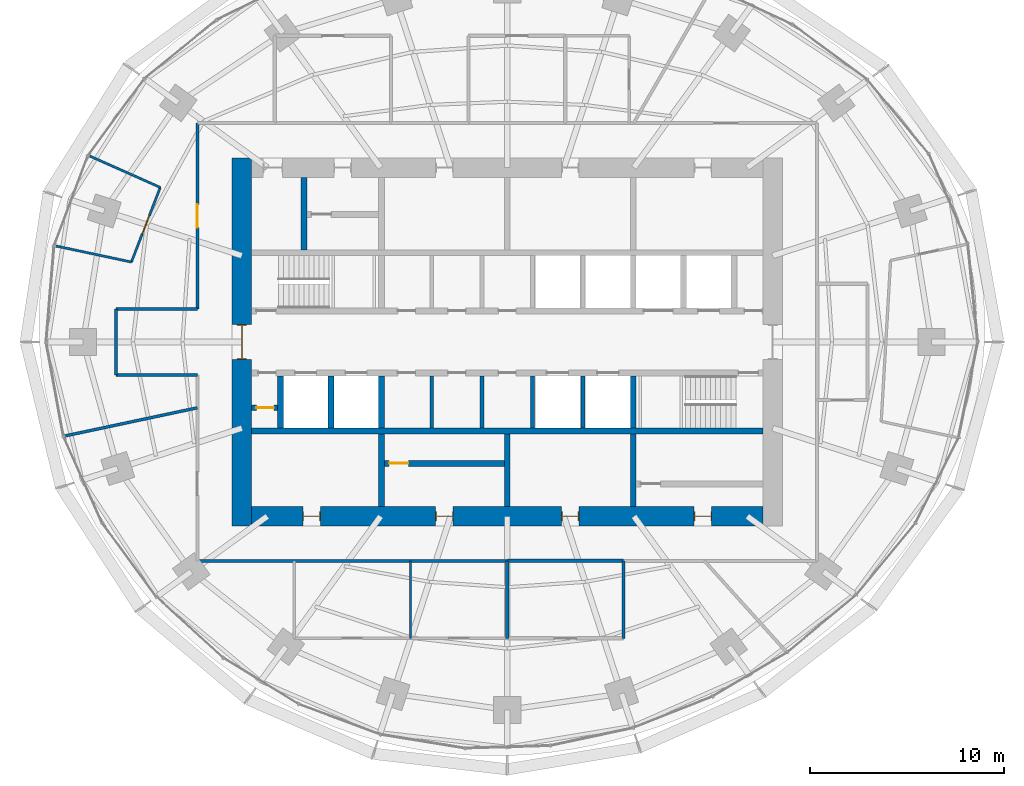
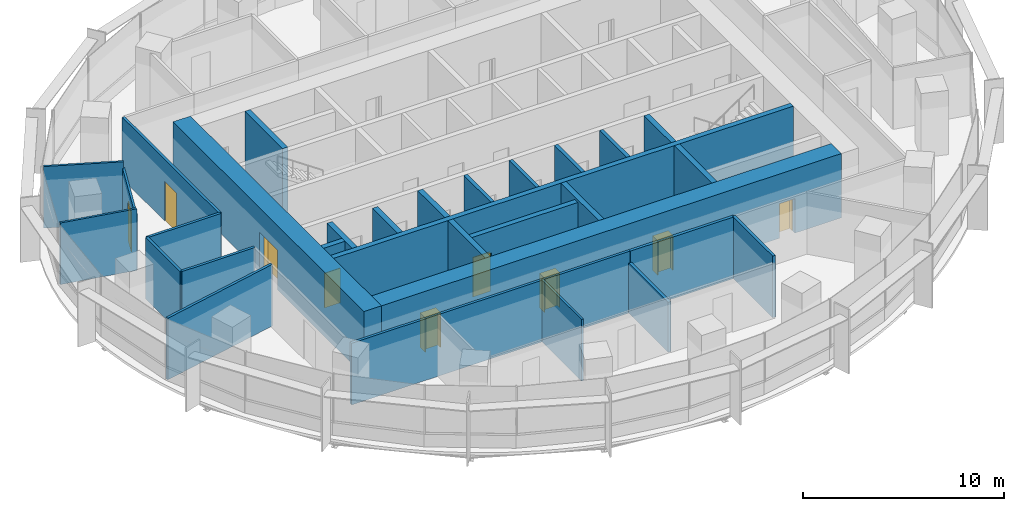
# One storey, part 10 of 14: 30 walls, 9 doors, 9 openings.
"""IFC4 building model written with IfcOpenShell, lengths in metres."""

import ifcopenshell
import ifcopenshell.guid

model = None  # the IFC model being written
_history = None  # IfcOwnerHistory: only IFC2X3 demands one
_inside = {}  # id of a spatial element -> (the spatial element, [elements in it])
_under = {}  # id of a project, library or spatial element -> (it, [spatial elements below it])
_declared = {}  # id of a project -> (the project, [libraries it declares])
_typed = {}  # id of a type object -> (the type object, [elements of that type])
_made_of = {}  # id of a material, layer set ... -> (it, [elements and type objects made of it])


def new_model(schema):
    """Start an empty IFC model of exactly this schema.

    Asked for "IFC4X3", IfcOpenShell would pick the latest addendum, in which some entities
    have other attributes; the version numbers below select the first issue.
    IFC2X3 requires an IfcOwnerHistory on every rooted entity: one is made here for all.
    """
    global model, _history
    if schema == "IFC4X3":
        model = ifcopenshell.file(schema_version=(4, 3, 0, 0))
    else:
        model = ifcopenshell.file(schema=schema)
    _inside.clear()
    _under.clear()
    _declared.clear()
    _typed.clear()
    _made_of.clear()
    _history = None
    if model.schema == "IFC2X3":
        org = make("IfcOrganization", Name="unknown")
        user = make(
            "IfcPersonAndOrganization",
            ThePerson=make("IfcPerson", FamilyName="unknown"),
            TheOrganization=org,
        )
        app = make(
            "IfcApplication",
            ApplicationDeveloper=org,
            Version="unknown",
            ApplicationFullName="unknown",
            ApplicationIdentifier="unknown",
        )
        _history = make(
            "IfcOwnerHistory",
            OwningUser=user,
            OwningApplication=app,
            ChangeAction="ADDED",
            CreationDate=0,
        )
    return model


def make(cls, **values):
    """One entity of the class cls with the attributes given. An attribute that is None is left unset."""
    return model.create_entity(
        cls, **{name: value for name, value in values.items() if value is not None}
    )


def rooted(cls, **values):
    """An entity with a GlobalId (a new one), such as an element, a storey or a relation."""
    return make(cls, GlobalId=ifcopenshell.guid.new(), OwnerHistory=_history, **values)


def si_unit(unit_type, name, prefix=None):
    """IfcSIUnit, for example si_unit("LENGTHUNIT", "METRE", prefix="MILLI")."""
    return make("IfcSIUnit", UnitType=unit_type, Prefix=prefix, Name=name)


def assignment(units):
    """IfcUnitAssignment: the units of a project."""
    return None if units is None else make("IfcUnitAssignment", Units=units)


def point(xyz):
    """IfcCartesianPoint."""
    return None if xyz is None else make("IfcCartesianPoint", Coordinates=xyz)


def direction(xyz):
    """IfcDirection."""
    return None if xyz is None else make("IfcDirection", DirectionRatios=xyz)


def frame(location, z_axis=None, x_axis=None):
    """IfcAxis2Placement3D, a coordinate frame: its origin and axes. An axis left out is left unset."""
    return make(
        "IfcAxis2Placement3D",
        Location=point(location),
        Axis=direction(z_axis),
        RefDirection=direction(x_axis),
    )


def frame_2d(location, x_axis=None):
    """IfcAxis2Placement2D, a coordinate frame in the plane: its origin and x axis."""
    return make(
        "IfcAxis2Placement2D", Location=point(location), RefDirection=direction(x_axis)
    )


def origin():
    """The frame at (0, 0, 0) with its axes left unset."""
    return frame((0.0, 0.0, 0.0))


def place(relative_to, where):
    """IfcLocalPlacement: puts the frame where relative to a parent placement (None: the world)."""
    return make(
        "IfcLocalPlacement", PlacementRelTo=relative_to, RelativePlacement=where
    )


def context(
    kind, dimensions, precision=None, world=None, true_north=None, identifier=None
):
    """IfcGeometricRepresentationContext, for example the 3D "Model" context."""
    return make(
        "IfcGeometricRepresentationContext",
        ContextIdentifier=identifier,
        ContextType=kind,
        CoordinateSpaceDimension=dimensions,
        Precision=precision,
        WorldCoordinateSystem=world,
        TrueNorth=true_north,
    )


def subcontext(parent, identifier, kind, view, scale=None):
    """IfcGeometricRepresentationSubContext, for example "Body" below "Model"."""
    return make(
        "IfcGeometricRepresentationSubContext",
        ContextIdentifier=identifier,
        ContextType=kind,
        ParentContext=parent,
        TargetScale=scale,
        TargetView=view,
    )


def project(units=None, contexts=None):
    """IfcProject with its units and contexts."""
    return rooted(
        "IfcProject",
        Name="project",
        RepresentationContexts=contexts,
        UnitsInContext=assignment(units),
    )


def spatial(cls, under=None, at=None, **own):
    """A site, building, storey or space (cls), placed at a placement, below another one or the project."""
    s = rooted(cls, ObjectPlacement=at, **own)
    if under is not None:
        _under.setdefault(under.id(), (under, []))[1].append(s)
    return s


def profile(cls, at=None, kind="AREA", **sizes):
    """A parametric profile (cls). Its sizes go by their IFC names, for example OverallWidth=200.0."""
    return make(cls, ProfileType=kind, Position=at, **sizes)


def rectangle(**sizes):
    """IfcRectangleProfileDef."""
    return profile("IfcRectangleProfileDef", **sizes)


def extrude(swept, where, along, depth):
    """IfcExtrudedAreaSolid: the profile swept, set in the frame where, extruded along a direction by depth."""
    return make(
        "IfcExtrudedAreaSolid",
        SweptArea=swept,
        Position=where,
        ExtrudedDirection=direction(along),
        Depth=depth,
    )


def shape(context_of_items, identifier, shape_type, items):
    """IfcShapeRepresentation: the items that make up one representation, for example the "Body"."""
    return make(
        "IfcShapeRepresentation",
        ContextOfItems=context_of_items,
        RepresentationIdentifier=identifier,
        RepresentationType=shape_type,
        Items=items,
    )


def material(Name=None, Category=None):
    """IfcMaterial."""
    return make("IfcMaterial", Name=Name, Category=Category)


def layer(
    of_material, thickness, ventilated=None, Name=None, Category=None, Priority=None
):
    """IfcMaterialLayer: one layer of a wall or slab, of a material (None: an air gap)."""
    return make(
        "IfcMaterialLayer",
        Material=of_material,
        LayerThickness=thickness,
        IsVentilated=ventilated,
        Name=Name,
        Category=Category,
        Priority=Priority,
    )


def layer_set(layers, Name=None):
    """IfcMaterialLayerSet."""
    return make("IfcMaterialLayerSet", MaterialLayers=layers, LayerSetName=Name)


def made_of(thing, what):
    """Note that an element or type object is made of a material, layer set ...; save() writes the relation."""
    if what is not None:
        _made_of.setdefault(what.id(), (what, []))[1].append(thing)
    return thing


def type_object(cls, material=None, **own):
    """A type object (cls), such as IfcWallType, which elements share."""
    return made_of(rooted(cls, **own), material)


def element(
    cls,
    number,
    at=None,
    inside=None,
    cuts=None,
    type_object=None,
    material=None,
    context=None,
    identifier="Body",
    shape_type=None,
    held_by="IfcProductDefinitionShape",
    body=None,
    shapes=None,
    **own,
):
    """One element of the class cls, such as IfcWall. Its Tag is "e" and its number.

    at: its placement. inside: the storey or other place that contains it. cuts: it is an
    opening in that element (IfcRelVoidsElement). A single representation is given by context,
    identifier, shape_type and body (its items); several are given by shapes. held_by: the class
    of the entity that holds the representations. save() writes the other relations.
    """
    e = rooted(cls, Tag="e%d" % number, ObjectPlacement=at, **own)
    if body is not None:
        shapes = [shape(context, identifier, shape_type, body)]
    if shapes is not None:
        e.Representation = make(held_by, Representations=shapes)
    if inside is not None:
        _inside.setdefault(inside.id(), (inside, []))[1].append(e)
    if cuts is not None:
        rooted(
            "IfcRelVoidsElement", RelatingBuildingElement=cuts, RelatedOpeningElement=e
        )
    if type_object is not None:
        _typed.setdefault(type_object.id(), (type_object, []))[1].append(e)
    return made_of(e, material)


def fill(opening, filler):
    """IfcRelFillsElement: the door or window that sits in an opening."""
    return rooted(
        "IfcRelFillsElement",
        RelatingOpeningElement=opening,
        RelatedBuildingElement=filler,
    )


def aggregate(whole, parts):
    """IfcRelAggregates: a whole, such as a stair, and the parts it consists of."""
    return rooted("IfcRelAggregates", RelatingObject=whole, RelatedObjects=parts)


def save(model, path):
    """Write the relations noted so far, then the file.

    IfcRelAggregates (storeys below a building ...), IfcRelContainedInSpatialStructure (elements
    in a storey), IfcRelDefinesByType, IfcRelAssociatesMaterial and IfcRelDeclares: one each for
    every whole, place, type object, material and project.
    """
    for whole, parts in _under.values():
        aggregate(whole, parts)
    for where, things in _inside.values():
        rooted(
            "IfcRelContainedInSpatialStructure",
            RelatedElements=things,
            RelatingStructure=where,
        )
    for kind, things in _typed.values():
        rooted("IfcRelDefinesByType", RelatedObjects=things, RelatingType=kind)
    for what, things in _made_of.values():
        rooted("IfcRelAssociatesMaterial", RelatedObjects=things, RelatingMaterial=what)
    for by, libraries in _declared.values():
        rooted("IfcRelDeclares", RelatingContext=by, RelatedDefinitions=libraries)
    model.write(path)


model = new_model("IFC4")

# Units and contexts
model_context = context("Model", 3, precision=1e-05, world=origin(), true_north=direction((0.0, 1.0)))
body_context = subcontext(model_context, "Body", "Model", "MODEL_VIEW")
ifc_project = project(units=[si_unit("LENGTHUNIT", "METRE"), si_unit("AREAUNIT", "SQUARE_METRE"), si_unit("VOLUMEUNIT", "CUBIC_METRE"), si_unit("PLANEANGLEUNIT", "RADIAN"), si_unit("MASSUNIT", "GRAM", prefix="KILO")], contexts=[model_context])

# Site, building, storey
site_placement = place(None, origin())
site = spatial("IfcSite", under=ifc_project, at=site_placement, CompositionType="ELEMENT")
building_placement = place(site_placement, origin())
building = spatial("IfcBuilding", under=site, at=building_placement, Name="Marramba Exchange Tower", CompositionType="ELEMENT")
storey_placement = place(building_placement, frame((0.0, 0.0, 199.39990234375)))
storey = spatial("IfcBuildingStorey", under=building, at=storey_placement, Name="L48", CompositionType="ELEMENT", Elevation=199.39990234375)

# Walls
ifc_material_1 = material(Name="Plasterboard on staggered double steel studs, acoustic insulation", Category="steel")
ifc_layer_1 = layer(ifc_material_1, 0.169921875)
ifc_layer_set_1 = layer_set([ifc_layer_1], Name="Acoustic partition 170")
wall_type_1 = type_object("IfcWallType", Name="Acoustic partition 170", PredefinedType="PARTITIONING", material=ifc_layer_set_1)
wall_1_placement = place(storey_placement, frame((0.0, -15.300048828125, 0.0), z_axis=(0.0, 0.0, 1.0), x_axis=(0.0, 1.0, 0.0)))
element("IfcWall", 1, at=wall_1_placement, inside=storey, type_object=wall_type_1, Name="Acoustic partition L48 08", PredefinedType="PARTITIONING", context=body_context, shape_type="SweptSolid", body=[
    extrude(rectangle(XDim=4.0, YDim=0.169921875, at=frame_2d((2.0, 0.0))), origin(), (0.0, 0.0, 1.0), 3.0400390625),
])
wall_2_placement = place(storey_placement, frame((6.0, -11.300048828125, 0.0), z_axis=(0.0, 0.0, 1.0), x_axis=(-1.0, 0.0, 0.0)))
element("IfcWall", 2, at=wall_2_placement, inside=storey, type_object=wall_type_1, Name="Acoustic partition L48 10", PredefinedType="PARTITIONING", context=body_context, shape_type="SweptSolid", body=[
    extrude(rectangle(XDim=6.0, YDim=0.169921875, at=frame_2d((3.0, 0.0))), origin(), (0.0, 0.0, 1.0), 3.739990234375),
])
wall_3_placement = place(storey_placement, frame((6.0, -15.300048828125, 0.0), z_axis=(0.0, 0.0, 1.0), x_axis=(0.0, 1.0, 0.0)))
element("IfcWall", 3, at=wall_3_placement, inside=storey, type_object=wall_type_1, Name="Acoustic partition L48 11", PredefinedType="PARTITIONING", context=body_context, shape_type="SweptSolid", body=[
    extrude(rectangle(XDim=4.0, YDim=0.169921875, at=frame_2d((2.0, 0.0))), origin(), (0.0, 0.0, 1.0), 3.739990234375),
])
ifc_material_2 = material(Name="Concrete N50", Category="concrete")
ifc_layer_2 = layer(ifc_material_2, 0.199951171875)
ifc_layer_set_2 = layer_set([ifc_layer_2], Name="Core shaft wall 200")
wall_type_2 = type_object("IfcWallType", Name="Core shaft wall 200", PredefinedType="SHEAR", material=ifc_layer_set_2)
for number, where, z_axis, x_axis, name in (
    (4, (-3.89990234375, -1.75, 0.0), (0.0, 0.0, 1.0), (0.0, -1.0, 0.0), "Core wall SHS1 L48"),
    (5, (-1.300048828125, -1.75, 0.0), (0.0, 0.0, 1.0), (0.0, -1.0, 0.0), "Core wall SHS2 L48"),
    (6, (1.300048828125, -1.75, 0.0), (0.0, 0.0, 1.0), (0.0, -1.0, 0.0), "Core wall SHS3 L48"),
    (7, (3.89990234375, -1.75, 0.0), (0.0, 0.0, 1.0), (0.0, -1.0, 0.0), "Core wall SHS4 L48"),
):
    element("IfcWall", number, at=place(storey_placement, frame(where, z_axis=z_axis, x_axis=x_axis)), inside=storey, type_object=wall_type_2, Name=name, PredefinedType="SHEAR", context=body_context, shape_type="SweptSolid", body=[
        extrude(rectangle(XDim=2.699951171875, YDim=0.199951171875, at=frame_2d((1.35009765625, 0.0))), origin(), (0.0, 0.0, 1.0), 3.900146484375),
    ])

# Wall, openings, doors
ifc_layer_3 = layer(ifc_material_2, 1.0)
ifc_layer_set_3 = layer_set([ifc_layer_3], Name="Core wall 1000")
wall_type_3 = type_object("IfcWallType", Name="Core wall 1000", PredefinedType="SHEAR", material=ifc_layer_set_3)
wall_4_placement = place(storey_placement, frame((-13.199951171875, -9.0, 0.0), z_axis=(0.0, 0.0, 1.0), x_axis=(1.0, 0.0, 0.0)))
wall_4 = element("IfcWall", 8, at=wall_4_placement, inside=storey, type_object=wall_type_3, Name="Core wall S L48", PredefinedType="SHEAR", context=body_context, shape_type="SweptSolid", body=[
    extrude(rectangle(XDim=26.39990234375, YDim=1.0, at=frame_2d((13.199951171875, 0.0))), origin(), (0.0, 0.0, 1.0), 3.900146484375),
])
opening_1_placement = place(wall_4_placement, frame((2.64990234375, 0.0, 0.0)))
opening_1 = element("IfcOpeningElement", 9, at=opening_1_placement, cuts=wall_4, Name="Opening D5", PredefinedType="OPENING", context=body_context, shape_type="SweptSolid", body=[
    extrude(rectangle(XDim=0.89990234375, YDim=2.10009765625, at=frame_2d((0.449951171875, 1.050048828125))), frame((0.0, 0.510009765625, 0.0), z_axis=(0.0, -1.0, 0.0), x_axis=(1.0, 0.0, 0.0)), (0.0, 0.0, 1.0), 1.02001953125),
])
opening_2_placement = place(wall_4_placement, frame((9.5, 0.0, 0.0)))
opening_2 = element("IfcOpeningElement", 10, at=opening_2_placement, cuts=wall_4, Name="Opening D5", PredefinedType="OPENING", context=body_context, shape_type="SweptSolid", body=[
    extrude(rectangle(XDim=0.89990234375, YDim=2.10009765625, at=frame_2d((0.449951171875, 1.050048828125))), frame((0.0, 0.510009765625, 0.0), z_axis=(0.0, -1.0, 0.0), x_axis=(1.0, 0.0, 0.0)), (0.0, 0.0, 1.0), 1.02001953125),
])
opening_3_placement = place(wall_4_placement, frame((16.0, 0.0, 0.0)))
opening_3 = element("IfcOpeningElement", 11, at=opening_3_placement, cuts=wall_4, Name="Opening D5", PredefinedType="OPENING", context=body_context, shape_type="SweptSolid", body=[
    extrude(rectangle(XDim=0.89990234375, YDim=2.10009765625, at=frame_2d((0.449951171875, 1.050048828125))), frame((0.0, 0.510009765625, 0.0), z_axis=(0.0, -1.0, 0.0), x_axis=(1.0, 0.0, 0.0)), (0.0, 0.0, 1.0), 1.02001953125),
])
opening_4_placement = place(wall_4_placement, frame((22.85009765625, 0.0, 0.0)))
opening_4 = element("IfcOpeningElement", 12, at=opening_4_placement, cuts=wall_4, Name="Opening D5", PredefinedType="OPENING", context=body_context, shape_type="SweptSolid", body=[
    extrude(rectangle(XDim=0.89990234375, YDim=2.10009765625, at=frame_2d((0.449951171875, 1.050048828125))), frame((0.0, 0.510009765625, 0.0), z_axis=(0.0, -1.0, 0.0), x_axis=(1.0, 0.0, 0.0)), (0.0, 0.0, 1.0), 1.02001953125),
])
ifc_material_3 = material(Name="Steel-framed door", Category="steel")
door_type_1 = type_object("IfcDoorType", Name="Service door 900x2100", OperationType="SINGLE_SWING_LEFT", PredefinedType="DOOR", material=ifc_material_3)
door_1_placement = place(opening_1_placement, origin())
door_1 = element("IfcDoor", 13, at=door_1_placement, inside=storey, type_object=door_type_1, Name="D5 ahu L48", OperationType="SINGLE_SWING_LEFT", OverallHeight=2.10009765625, OverallWidth=0.89990234375, PredefinedType="DOOR", context=body_context, shape_type="SweptSolid", body=[
    extrude(rectangle(XDim=0.81982421875, YDim=2.06005859375, at=frame_2d((0.449951171875, 1.030029296875))), frame((0.0, 0.02490234375, 0.0), z_axis=(0.0, -1.0, 0.0), x_axis=(1.0, 0.0, 0.0)), (0.0, 0.0, 1.0), 0.050048828125),
    extrude(rectangle(XDim=0.04, YDim=2.10009765625, at=frame_2d((0.02001953125, 1.050048828125))), frame((0.0, 0.25, 0.0), z_axis=(0.0, -1.0, 0.0), x_axis=(1.0, 0.0, 0.0)), (0.0, 0.0, 1.0), 0.5),
    extrude(rectangle(XDim=0.04, YDim=2.10009765625, at=frame_2d((0.8798828125, 1.050048828125))), frame((0.0, 0.25, 0.0), z_axis=(0.0, -1.0, 0.0), x_axis=(1.0, 0.0, 0.0)), (0.0, 0.0, 1.0), 0.5),
    extrude(rectangle(XDim=0.81982421875, YDim=0.04, at=frame_2d((0.449951171875, 2.080078125))), frame((0.0, 0.25, 0.0), z_axis=(0.0, -1.0, 0.0), x_axis=(1.0, 0.0, 0.0)), (0.0, 0.0, 1.0), 0.5),
])
fill(opening_1, door_1)
door_2_placement = place(opening_2_placement, origin())
door_2 = element("IfcDoor", 14, at=door_2_placement, inside=storey, type_object=door_type_1, Name="D5 store L48", OperationType="SINGLE_SWING_RIGHT", OverallHeight=2.10009765625, OverallWidth=0.89990234375, PredefinedType="DOOR", context=body_context, shape_type="SweptSolid", body=[
    extrude(rectangle(XDim=0.81982421875, YDim=2.06005859375, at=frame_2d((0.449951171875, 1.030029296875))), frame((0.0, 0.02490234375, 0.0), z_axis=(0.0, -1.0, 0.0), x_axis=(1.0, 0.0, 0.0)), (0.0, 0.0, 1.0), 0.050048828125),
    extrude(rectangle(XDim=0.04, YDim=2.10009765625, at=frame_2d((0.02001953125, 1.050048828125))), frame((0.0, 0.25, 0.0), z_axis=(0.0, -1.0, 0.0), x_axis=(1.0, 0.0, 0.0)), (0.0, 0.0, 1.0), 0.5),
    extrude(rectangle(XDim=0.04, YDim=2.10009765625, at=frame_2d((0.8798828125, 1.050048828125))), frame((0.0, 0.25, 0.0), z_axis=(0.0, -1.0, 0.0), x_axis=(1.0, 0.0, 0.0)), (0.0, 0.0, 1.0), 0.5),
    extrude(rectangle(XDim=0.81982421875, YDim=0.04, at=frame_2d((0.449951171875, 2.080078125))), frame((0.0, 0.25, 0.0), z_axis=(0.0, -1.0, 0.0), x_axis=(1.0, 0.0, 0.0)), (0.0, 0.0, 1.0), 0.5),
])
fill(opening_2, door_2)
door_3_placement = place(opening_3_placement, origin())
door_3 = element("IfcDoor", 15, at=door_3_placement, inside=storey, type_object=door_type_1, Name="D5 switch L48", OperationType="SINGLE_SWING_RIGHT", OverallHeight=2.10009765625, OverallWidth=0.89990234375, PredefinedType="DOOR", context=body_context, shape_type="SweptSolid", body=[
    extrude(rectangle(XDim=0.81982421875, YDim=2.06005859375, at=frame_2d((0.449951171875, 1.030029296875))), frame((0.0, 0.02490234375, 0.0), z_axis=(0.0, -1.0, 0.0), x_axis=(1.0, 0.0, 0.0)), (0.0, 0.0, 1.0), 0.050048828125),
    extrude(rectangle(XDim=0.04, YDim=2.10009765625, at=frame_2d((0.02001953125, 1.050048828125))), frame((0.0, 0.25, 0.0), z_axis=(0.0, -1.0, 0.0), x_axis=(1.0, 0.0, 0.0)), (0.0, 0.0, 1.0), 0.5),
    extrude(rectangle(XDim=0.04, YDim=2.10009765625, at=frame_2d((0.8798828125, 1.050048828125))), frame((0.0, 0.25, 0.0), z_axis=(0.0, -1.0, 0.0), x_axis=(1.0, 0.0, 0.0)), (0.0, 0.0, 1.0), 0.5),
    extrude(rectangle(XDim=0.81982421875, YDim=0.04, at=frame_2d((0.449951171875, 2.080078125))), frame((0.0, 0.25, 0.0), z_axis=(0.0, -1.0, 0.0), x_axis=(1.0, 0.0, 0.0)), (0.0, 0.0, 1.0), 0.5),
])
fill(opening_3, door_3)
door_4_placement = place(opening_4_placement, origin())
door_4 = element("IfcDoor", 16, at=door_4_placement, inside=storey, type_object=door_type_1, Name="D5 cstore L48", OperationType="SINGLE_SWING_RIGHT", OverallHeight=2.10009765625, OverallWidth=0.89990234375, PredefinedType="DOOR", context=body_context, shape_type="SweptSolid", body=[
    extrude(rectangle(XDim=0.81982421875, YDim=2.06005859375, at=frame_2d((0.449951171875, 1.030029296875))), frame((0.0, 0.02490234375, 0.0), z_axis=(0.0, -1.0, 0.0), x_axis=(1.0, 0.0, 0.0)), (0.0, 0.0, 1.0), 0.050048828125),
    extrude(rectangle(XDim=0.04, YDim=2.10009765625, at=frame_2d((0.02001953125, 1.050048828125))), frame((0.0, 0.25, 0.0), z_axis=(0.0, -1.0, 0.0), x_axis=(1.0, 0.0, 0.0)), (0.0, 0.0, 1.0), 0.5),
    extrude(rectangle(XDim=0.04, YDim=2.10009765625, at=frame_2d((0.8798828125, 1.050048828125))), frame((0.0, 0.25, 0.0), z_axis=(0.0, -1.0, 0.0), x_axis=(1.0, 0.0, 0.0)), (0.0, 0.0, 1.0), 0.5),
    extrude(rectangle(XDim=0.81982421875, YDim=0.04, at=frame_2d((0.449951171875, 2.080078125))), frame((0.0, 0.25, 0.0), z_axis=(0.0, -1.0, 0.0), x_axis=(1.0, 0.0, 0.0)), (0.0, 0.0, 1.0), 0.5),
])
fill(opening_4, door_4)

# Wall, opening, door
wall_5_placement = place(storey_placement, frame((-13.699951171875, 9.5, 0.0), z_axis=(0.0, 0.0, 1.0), x_axis=(0.0, -1.0, 0.0)))
wall_5 = element("IfcWall", 17, at=wall_5_placement, inside=storey, type_object=wall_type_3, Name="Core wall W L48", PredefinedType="SHEAR", context=body_context, shape_type="SweptSolid", body=[
    extrude(rectangle(XDim=19.0, YDim=1.0, at=frame_2d((9.5, 0.0))), origin(), (0.0, 0.0, 1.0), 3.900146484375),
])
opening_5_placement = place(wall_5_placement, frame((8.60009765625, 0.0, 0.0)))
opening_5 = element("IfcOpeningElement", 18, at=opening_5_placement, cuts=wall_5, Name="Opening D1", PredefinedType="OPENING", context=body_context, shape_type="SweptSolid", body=[
    extrude(rectangle(XDim=1.800048828125, YDim=2.39990234375, at=frame_2d((0.89990234375, 1.199951171875))), frame((0.0, 0.510009765625, 0.0), z_axis=(0.0, -1.0, 0.0), x_axis=(1.0, 0.0, 0.0)), (0.0, 0.0, 1.0), 1.02001953125),
])
door_type_2 = type_object("IfcDoorType", Name="Lobby exit door 1800x2400", OperationType="DOUBLE_DOOR_SINGLE_SWING", PredefinedType="DOOR", material=ifc_material_3)
door_5_placement = place(opening_5_placement, origin())
door_5 = element("IfcDoor", 19, at=door_5_placement, inside=storey, type_object=door_type_2, Name="D1 lobby exit west L48", OperationType="DOUBLE_DOOR_SINGLE_SWING", OverallHeight=2.39990234375, OverallWidth=1.800048828125, PredefinedType="DOOR", context=body_context, shape_type="SweptSolid", body=[
    extrude(rectangle(XDim=1.719970703125, YDim=2.35986328125, at=frame_2d((0.89990234375, 1.179931640625))), frame((0.0, 0.02490234375, 0.0), z_axis=(0.0, -1.0, 0.0), x_axis=(1.0, 0.0, 0.0)), (0.0, 0.0, 1.0), 0.050048828125),
    extrude(rectangle(XDim=0.04, YDim=2.39990234375, at=frame_2d((0.02001953125, 1.199951171875))), frame((0.0, 0.25, 0.0), z_axis=(0.0, -1.0, 0.0), x_axis=(1.0, 0.0, 0.0)), (0.0, 0.0, 1.0), 0.5),
    extrude(rectangle(XDim=0.04, YDim=2.39990234375, at=frame_2d((1.780029296875, 1.199951171875))), frame((0.0, 0.25, 0.0), z_axis=(0.0, -1.0, 0.0), x_axis=(1.0, 0.0, 0.0)), (0.0, 0.0, 1.0), 0.5),
    extrude(rectangle(XDim=1.719970703125, YDim=0.04, at=frame_2d((0.89990234375, 2.3798828125))), frame((0.0, 0.25, 0.0), z_axis=(0.0, -1.0, 0.0), x_axis=(1.0, 0.0, 0.0)), (0.0, 0.0, 1.0), 0.5),
])
fill(opening_5, door_5)

# Walls
ifc_layer_4 = layer(ifc_material_2, 0.300048828125)
ifc_layer_set_4 = layer_set([ifc_layer_4], Name="Core wall 300")
wall_type_4 = type_object("IfcWallType", Name="Core wall 300", PredefinedType="SHEAR", material=ifc_layer_set_4)
wall_6_placement = place(storey_placement, frame((-13.199951171875, -4.60009765625, 0.0), z_axis=(0.0, 0.0, 1.0), x_axis=(1.0, 0.0, 0.0)))
element("IfcWall", 20, at=wall_6_placement, inside=storey, type_object=wall_type_4, Name="Core wall BS L48", PredefinedType="SHEAR", context=body_context, shape_type="SweptSolid", body=[
    extrude(rectangle(XDim=26.39990234375, YDim=0.300048828125, at=frame_2d((13.199951171875, 0.0))), origin(), (0.0, 0.0, 1.0), 3.900146484375),
])
wall_7_placement = place(storey_placement, frame((-6.5, -1.75, 0.0), z_axis=(0.0, 0.0, 1.0), x_axis=(0.0, -1.0, 0.0)))
element("IfcWall", 21, at=wall_7_placement, inside=storey, type_object=wall_type_4, Name="Core wall X0Sa L48", PredefinedType="SHEAR", context=body_context, shape_type="SweptSolid", body=[
    extrude(rectangle(XDim=2.699951171875, YDim=0.300048828125, at=frame_2d((1.35009765625, 0.0))), origin(), (0.0, 0.0, 1.0), 3.900146484375),
])
wall_8_placement = place(storey_placement, frame((-6.5, -4.75, 0.0), z_axis=(0.0, 0.0, 1.0), x_axis=(0.0, -1.0, 0.0)))
element("IfcWall", 22, at=wall_8_placement, inside=storey, type_object=wall_type_4, Name="Core wall X0Sb L48", PredefinedType="SHEAR", context=body_context, shape_type="SweptSolid", body=[
    extrude(rectangle(XDim=3.75, YDim=0.300048828125, at=frame_2d((1.875, 0.0))), origin(), (0.0, 0.0, 1.0), 3.900146484375),
])
wall_9_placement = place(storey_placement, frame((6.5, -1.75, 0.0), z_axis=(0.0, 0.0, 1.0), x_axis=(0.0, -1.0, 0.0)))
element("IfcWall", 23, at=wall_9_placement, inside=storey, type_object=wall_type_4, Name="Core wall X1Sa L48", PredefinedType="SHEAR", context=body_context, shape_type="SweptSolid", body=[
    extrude(rectangle(XDim=2.699951171875, YDim=0.300048828125, at=frame_2d((1.35009765625, 0.0))), origin(), (0.0, 0.0, 1.0), 3.900146484375),
])
for number, where, z_axis, x_axis, name in (
    (24, (6.5, -4.75, 0.0), (0.0, 0.0, 1.0), (0.0, -1.0, 0.0), "Core wall X1Sb L48"),
    (25, (0.0, -4.75, 0.0), (0.0, 0.0, 1.0), (0.0, -1.0, 0.0), "Core wall MS L48"),
    (26, (-10.5, 4.75, 0.0), (0.0, 0.0, 1.0), (0.0, 1.0, 0.0), "Core wall WD L48"),
):
    element("IfcWall", number, at=place(storey_placement, frame(where, z_axis=z_axis, x_axis=x_axis)), inside=storey, type_object=wall_type_4, Name=name, PredefinedType="SHEAR", context=body_context, shape_type="SweptSolid", body=[
        extrude(rectangle(XDim=3.75, YDim=0.300048828125, at=frame_2d((1.875, 0.0))), origin(), (0.0, 0.0, 1.0), 3.900146484375),
    ])
ifc_material_4 = material(Name="Core-filled concrete blockwork", Category="masonry")
ifc_layer_5 = layer(ifc_material_4, 0.300048828125)
ifc_layer_set_5 = layer_set([ifc_layer_5], Name="Lift shaft wall 300")
wall_type_5 = type_object("IfcWallType", Name="Lift shaft wall 300", PredefinedType="SOLIDWALL", material=ifc_layer_set_5)
for number, where, z_axis, x_axis, name in (
    (27, (-9.10009765625, -1.75, 0.0), (0.0, 0.0, 1.0), (0.0, -1.0, 0.0), "Lift shaft wall W1 L48"),
    (28, (-11.699951171875, -1.75, 0.0), (0.0, 0.0, 1.0), (0.0, -1.0, 0.0), "Lift shaft wall W2 L48"),
):
    element("IfcWall", number, at=place(storey_placement, frame(where, z_axis=z_axis, x_axis=x_axis)), inside=storey, type_object=wall_type_5, Name=name, PredefinedType="SOLIDWALL", context=body_context, shape_type="SweptSolid", body=[
        extrude(rectangle(XDim=2.699951171875, YDim=0.300048828125, at=frame_2d((1.35009765625, 0.0))), origin(), (0.0, 0.0, 1.0), 3.739990234375),
    ])
ifc_material_5 = material(Name="Plasterboard on steel studs", Category="steel")
ifc_layer_6 = layer(ifc_material_5, 0.1201171875)
ifc_layer_set_6 = layer_set([ifc_layer_6], Name="Partition 120")
wall_type_6 = type_object("IfcWallType", Name="Partition 120", PredefinedType="PARTITIONING", material=ifc_layer_set_6)
for number, where, z_axis, x_axis, name in (
    (29, (-5.0, -11.300048828125, 0.0), (0.0, 0.0, 1.0), (0.0, -1.0, 0.0), "Partition L48 06"),
    (30, (-17.914794921875, 7.976318359375, 0.0), (0.0, 0.0, 1.0), (-0.913549606868, 0.406727323635, 0.0), "Partition L48 37"),
):
    element("IfcWall", number, at=place(storey_placement, frame(where, z_axis=z_axis, x_axis=x_axis)), inside=storey, type_object=wall_type_6, Name=name, PredefinedType="PARTITIONING", context=body_context, shape_type="SweptSolid", body=[
        extrude(rectangle(XDim=4.0, YDim=0.1201171875, at=frame_2d((2.0, 0.0))), origin(), (0.0, 0.0, 1.0), 3.739990234375),
    ])

# Wall, opening, door
wall_10_placement = place(storey_placement, frame((-19.404541015625, 4.12451171875, 0.0), z_axis=(0.0, 0.0, 1.0), x_axis=(0.360725417702, 0.932672060814, 0.0)))
wall_10 = element("IfcWall", 31, at=wall_10_placement, inside=storey, type_object=wall_type_6, Name="Partition L48 39", PredefinedType="PARTITIONING", context=body_context, shape_type="SweptSolid", body=[
    extrude(rectangle(XDim=4.1298828125, YDim=0.1201171875, at=frame_2d((2.06494140625, 0.0))), origin(), (0.0, 0.0, 1.0), 3.333984375),
])
opening_6_placement = place(wall_10_placement, frame((1.56494140625, 0.0, 0.0)))
opening_6 = element("IfcOpeningElement", 32, at=opening_6_placement, cuts=wall_10, Name="Opening D9", PredefinedType="OPENING", context=body_context, shape_type="SweptSolid", body=[
    extrude(rectangle(XDim=1.0, YDim=2.39990234375, at=frame_2d((0.5, 1.199951171875))), frame((0.0, 0.070068359375, 0.0), z_axis=(0.0, -1.0, 0.0), x_axis=(1.0, 0.0, 0.0)), (0.0, 0.0, 1.0), 0.14013671875),
])
ifc_material_6 = material(Name="Timber door", Category="wood")
door_type_3 = type_object("IfcDoorType", Name="Room door 1000x2400", OperationType="SINGLE_SWING_LEFT", PredefinedType="DOOR", material=ifc_material_6)
door_6_placement = place(opening_6_placement, origin())
door_6 = element("IfcDoor", 33, at=door_6_placement, inside=storey, type_object=door_type_3, Name="D9 Focus Room L48", OperationType="SINGLE_SWING_RIGHT", OverallHeight=2.39990234375, OverallWidth=1.0, PredefinedType="DOOR", context=body_context, shape_type="SweptSolid", body=[
    extrude(rectangle(XDim=1.0, YDim=2.39990234375, at=frame_2d((0.5, 1.199951171875))), frame((0.0, 0.02490234375, 0.0), z_axis=(0.0, -1.0, 0.0), x_axis=(1.0, 0.0, 0.0)), (0.0, 0.0, 1.0), 0.050048828125),
])
fill(opening_6, door_6)

# Wall
wall_11_placement = place(storey_placement, frame((-23.317138671875, 4.956298828125, 0.0), z_axis=(0.0, 0.0, 1.0), x_axis=(0.978140543132, -0.207944891454, 0.0)))
element("IfcWall", 34, at=wall_11_placement, inside=storey, type_object=wall_type_6, Name="Partition L48 40", PredefinedType="PARTITIONING", context=body_context, shape_type="SweptSolid", body=[
    extrude(rectangle(XDim=4.0, YDim=0.1201171875, at=frame_2d((2.0, 0.0))), origin(), (0.0, 0.0, 1.0), 3.739990234375),
])

# Wall, opening, door
ifc_layer_7 = layer(ifc_material_4, 0.300048828125)
ifc_layer_set_7 = layer_set([ifc_layer_7], Name="Riser enclosure wall 300")
wall_type_7 = type_object("IfcWallType", Name="Riser enclosure wall 300", PredefinedType="SOLIDWALL", material=ifc_layer_set_7)
wall_12_placement = place(storey_placement, frame((-13.199951171875, -3.39990234375, 0.0), z_axis=(0.0, 0.0, 1.0), x_axis=(1.0, 0.0, 0.0)))
wall_12 = element("IfcWall", 35, at=wall_12_placement, inside=storey, type_object=wall_type_7, Name="Riser enclosure wall L48", PredefinedType="SOLIDWALL", context=body_context, shape_type="SweptSolid", body=[
    extrude(rectangle(XDim=1.349853515625, YDim=0.300048828125, at=frame_2d((0.6748046875, 0.0))), origin(), (0.0, 0.0, 1.0), 3.739990234375),
])
opening_7_placement = place(wall_12_placement, frame((0.25, 0.0, 0.0)))
opening_7 = element("IfcOpeningElement", 36, at=opening_7_placement, cuts=wall_12, Name="Opening D5", PredefinedType="OPENING", context=body_context, shape_type="SweptSolid", body=[
    extrude(rectangle(XDim=0.89990234375, YDim=2.10009765625, at=frame_2d((0.449951171875, 1.050048828125))), frame((0.0, 0.159912109375, 0.0), z_axis=(0.0, -1.0, 0.0), x_axis=(1.0, 0.0, 0.0)), (0.0, 0.0, 1.0), 0.320068359375),
])
door_7_placement = place(opening_7_placement, frame((0.89990234375, 0.0, 0.0), z_axis=(0.0, 0.0, 1.0), x_axis=(-1.0, 0.0, 0.0)))
door_7 = element("IfcDoor", 37, at=door_7_placement, inside=storey, type_object=door_type_1, Name="D5 electrical riser back L48", OperationType="SINGLE_SWING_LEFT", OverallHeight=2.10009765625, OverallWidth=0.89990234375, PredefinedType="DOOR", context=body_context, shape_type="SweptSolid", body=[
    extrude(rectangle(XDim=0.89990234375, YDim=2.10009765625, at=frame_2d((0.449951171875, 1.050048828125))), frame((0.0, 0.025146484375, 0.0), z_axis=(0.0, -1.0, 0.0), x_axis=(1.0, 0.0, 0.0)), (0.0, 0.0, 1.0), 0.050048828125),
])
fill(opening_7, door_7)

ifc_material_7 = material(Name="Plasterboard on steel studs, insulated, unrated", Category="steel")
ifc_layer_8 = layer(ifc_material_7, 0.300048828125)
ifc_layer_set_8 = layer_set([ifc_layer_8], Name="Store partition 300")
wall_type_8 = type_object("IfcWallType", Name="Store partition 300", PredefinedType="PARTITIONING", material=ifc_layer_set_8)
wall_13_placement = place(storey_placement, frame((-6.35009765625, -6.27197265625, 0.0), z_axis=(0.0, 0.0, 1.0), x_axis=(1.0, 0.0, 0.0)))
wall_13 = element("IfcWall", 38, at=wall_13_placement, inside=storey, type_object=wall_type_8, Name="Store partition L48 store", PredefinedType="PARTITIONING", context=body_context, shape_type="SweptSolid", body=[
    extrude(rectangle(XDim=6.2001953125, YDim=0.300048828125, at=frame_2d((3.10009765625, 0.0))), origin(), (0.0, 0.0, 1.0), 3.739990234375),
])
opening_8_placement = place(wall_13_placement, frame((0.25, 0.0, 0.0)))
opening_8 = element("IfcOpeningElement", 39, at=opening_8_placement, cuts=wall_13, Name="Opening D9", PredefinedType="OPENING", context=body_context, shape_type="SweptSolid", body=[
    extrude(rectangle(XDim=1.0, YDim=2.39990234375, at=frame_2d((0.5, 1.199951171875))), frame((0.0, 0.159912109375, 0.0), z_axis=(0.0, -1.0, 0.0), x_axis=(1.0, 0.0, 0.0)), (0.0, 0.0, 1.0), 0.320068359375),
])
door_8_placement = place(opening_8_placement, origin())
door_8 = element("IfcDoor", 40, at=door_8_placement, inside=storey, type_object=door_type_3, Name="D9 stationery store L48", OperationType="SINGLE_SWING_LEFT", OverallHeight=2.39990234375, OverallWidth=1.0, PredefinedType="DOOR", context=body_context, shape_type="SweptSolid", body=[
    extrude(rectangle(XDim=1.0, YDim=2.39990234375, at=frame_2d((0.5, 1.199951171875))), frame((0.0, 0.02490234375, 0.0), z_axis=(0.0, -1.0, 0.0), x_axis=(1.0, 0.0, 0.0)), (0.0, 0.0, 1.0), 0.050048828125),
])
fill(opening_8, door_8)

# Walls
ifc_material_8 = material(Name="Fire-rated plasterboard on steel studs, acoustic insulation", Category="steel")
ifc_layer_9 = layer(ifc_material_8, 0.14990234375)
ifc_layer_set_9 = layer_set([ifc_layer_9], Name="Tenancy wall 150")
wall_type_9 = type_object("IfcWallType", Name="Tenancy wall 150", PredefinedType="PARTITIONING", material=ifc_layer_set_9)
wall_14_placement = place(storey_placement, frame((-20.199951171875, -1.699951171875, 0.0), z_axis=(0.0, 0.0, 1.0), x_axis=(1.0, 0.0, 0.0)))
element("IfcWall", 41, at=wall_14_placement, inside=storey, type_object=wall_type_9, Name="Tenancy wall L48 01", PredefinedType="PARTITIONING", context=body_context, shape_type="SweptSolid", body=[
    extrude(rectangle(XDim=4.199951171875, YDim=0.14990234375, at=frame_2d((2.10009765625, 0.0))), origin(), (0.0, 0.0, 1.0), 3.739990234375),
])
wall_15_placement = place(storey_placement, frame((-16.0, -3.40087890625, 0.0), z_axis=(0.0, 0.0, 1.0), x_axis=(-0.978145707098, -0.207920599476, 0.0)))
element("IfcWall", 42, at=wall_15_placement, inside=storey, type_object=wall_type_9, Name="Tenancy wall L48 02", PredefinedType="PARTITIONING", context=body_context, shape_type="SweptSolid", body=[
    extrude(rectangle(XDim=6.98779296875, YDim=0.14990234375, at=frame_2d((3.493896484375, 0.0))), origin(), (0.0, 0.0, 1.0), 3.739990234375),
])
wall_16_placement = place(storey_placement, frame((-16.0, -11.300048828125, 0.0), z_axis=(0.0, 0.0, 1.0), x_axis=(1.0, 0.0, 0.0)))
element("IfcWall", 43, at=wall_16_placement, inside=storey, type_object=wall_type_9, Name="Tenancy wall L48 05", PredefinedType="PARTITIONING", context=body_context, shape_type="SweptSolid", body=[
    extrude(rectangle(XDim=16.0, YDim=0.14990234375, at=frame_2d((8.0, 0.0))), origin(), (0.0, 0.0, 1.0), 3.739990234375),
])

# Wall, opening, door
wall_17_placement = place(storey_placement, frame((-16.0, 11.300048828125, 0.0), z_axis=(0.0, 0.0, 1.0), x_axis=(0.0, -1.0, 0.0)))
wall_17 = element("IfcWall", 44, at=wall_17_placement, inside=storey, type_object=wall_type_9, Name="Tenancy wall L48 38", PredefinedType="PARTITIONING", context=body_context, shape_type="SweptSolid", body=[
    extrude(rectangle(XDim=9.60009765625, YDim=0.14990234375, at=frame_2d((4.800048828125, 0.0))), origin(), (0.0, 0.0, 1.0), 3.739990234375),
])
opening_9_placement = place(wall_17_placement, frame((4.199951171875, 0.0, 0.0)))
opening_9 = element("IfcOpeningElement", 45, at=opening_9_placement, cuts=wall_17, Name="Opening D13", PredefinedType="OPENING", context=body_context, shape_type="SweptSolid", body=[
    extrude(rectangle(XDim=1.199951171875, YDim=2.39990234375, at=frame_2d((0.60009765625, 1.199951171875))), frame((0.0, 0.0849609375, 0.0), z_axis=(0.0, -1.0, 0.0), x_axis=(1.0, 0.0, 0.0)), (0.0, 0.0, 1.0), 0.169921875),
])
door_type_4 = type_object("IfcDoorType", Name="Tenancy entry door 1200x2400", OperationType="SINGLE_SWING_LEFT", PredefinedType="DOOR", material=ifc_material_3)
door_9_placement = place(opening_9_placement, origin())
door_9 = element("IfcDoor", 46, at=door_9_placement, inside=storey, type_object=door_type_4, Name="D13 Office 2 L48", OperationType="SINGLE_SWING_LEFT", OverallHeight=2.39990234375, OverallWidth=1.199951171875, PredefinedType="DOOR", context=body_context, shape_type="SweptSolid", body=[
    extrude(rectangle(XDim=1.199951171875, YDim=2.39990234375, at=frame_2d((0.60009765625, 1.199951171875))), frame((0.0, 0.02490234375, 0.0), z_axis=(0.0, -1.0, 0.0), x_axis=(1.0, 0.0, 0.0)), (0.0, 0.0, 1.0), 0.050048828125),
])
fill(opening_9, door_9)

# Walls
wall_18_placement = place(storey_placement, frame((-16.0, 1.699951171875, 0.0), z_axis=(0.0, 0.0, 1.0), x_axis=(-1.0, 0.0, 0.0)))
element("IfcWall", 47, at=wall_18_placement, inside=storey, type_object=wall_type_9, Name="Tenancy wall L48 41", PredefinedType="PARTITIONING", context=body_context, shape_type="SweptSolid", body=[
    extrude(rectangle(XDim=4.199951171875, YDim=0.14990234375, at=frame_2d((2.10009765625, 0.0))), origin(), (0.0, 0.0, 1.0), 3.739990234375),
])
wall_19_placement = place(storey_placement, frame((-20.199951171875, 1.699951171875, 0.0), z_axis=(0.0, 0.0, 1.0), x_axis=(0.0, -1.0, 0.0)))
element("IfcWall", 48, at=wall_19_placement, inside=storey, type_object=wall_type_9, Name="Tenancy wall L48 42", PredefinedType="PARTITIONING", context=body_context, shape_type="SweptSolid", body=[
    extrude(rectangle(XDim=3.39990234375, YDim=0.14990234375, at=frame_2d((1.699951171875, 0.0))), origin(), (0.0, 0.0, 1.0), 3.739990234375),
])

save(model, "model.ifc")
